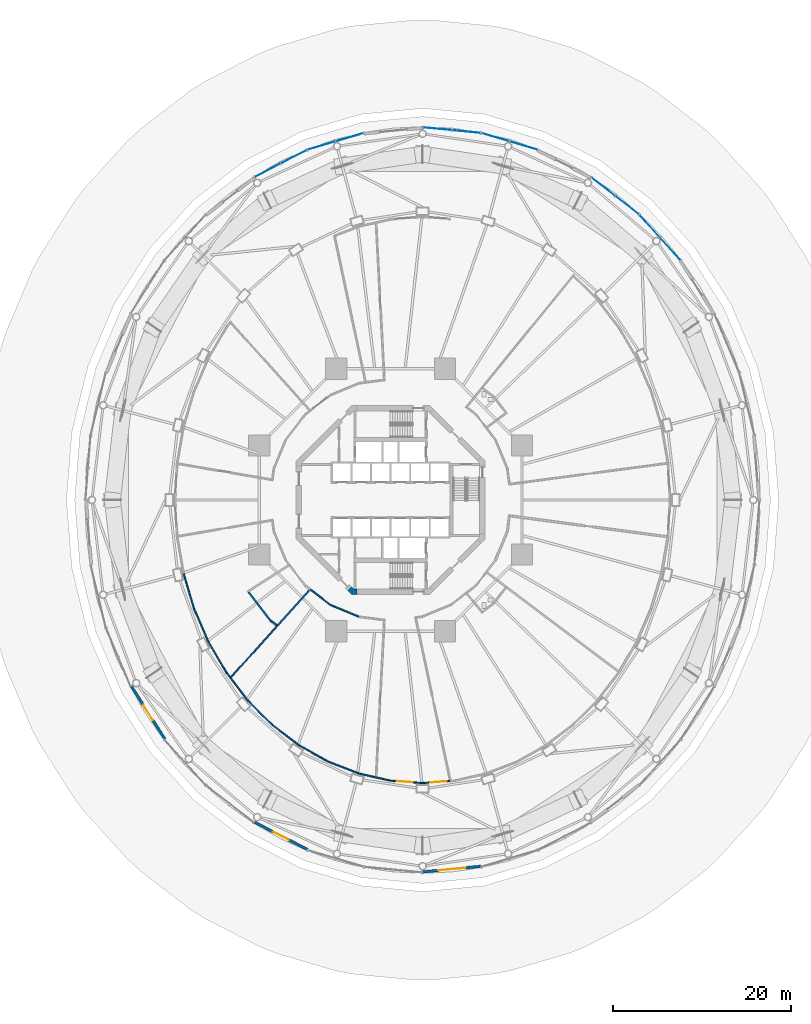
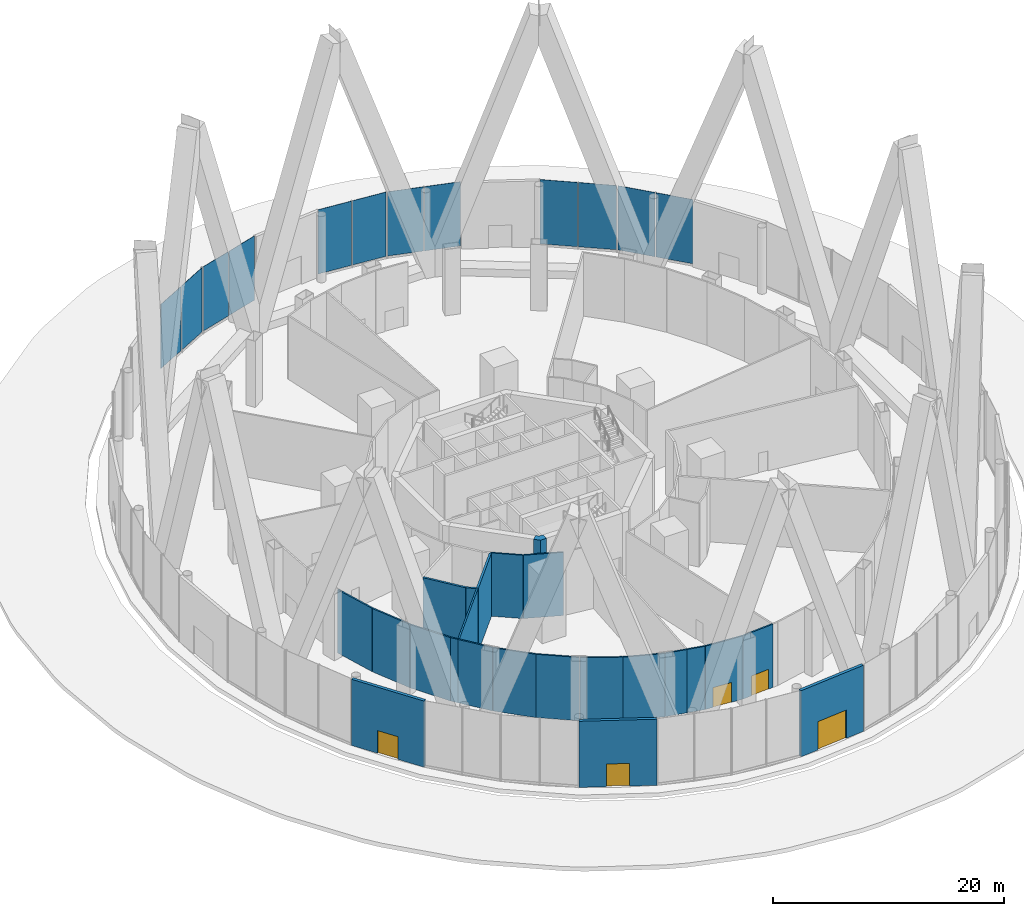
# One storey, part 57 of 67: 23 walls, 12 plates, 5 doors, 5 openings, 6 elements without a shape of their own.
"""IFC4 building model written with IfcOpenShell, lengths in metres."""

import ifcopenshell
import ifcopenshell.guid

model = None  # the IFC model being written
_history = None  # IfcOwnerHistory: only IFC2X3 demands one
_inside = {}  # id of a spatial element -> (the spatial element, [elements in it])
_under = {}  # id of a project, library or spatial element -> (it, [spatial elements below it])
_declared = {}  # id of a project -> (the project, [libraries it declares])
_typed = {}  # id of a type object -> (the type object, [elements of that type])
_made_of = {}  # id of a material, layer set ... -> (it, [elements and type objects made of it])


def new_model(schema):
    """Start an empty IFC model of exactly this schema.

    Asked for "IFC4X3", IfcOpenShell would pick the latest addendum, in which some entities
    have other attributes; the version numbers below select the first issue.
    IFC2X3 requires an IfcOwnerHistory on every rooted entity: one is made here for all.
    """
    global model, _history
    if schema == "IFC4X3":
        model = ifcopenshell.file(schema_version=(4, 3, 0, 0))
    else:
        model = ifcopenshell.file(schema=schema)
    _inside.clear()
    _under.clear()
    _declared.clear()
    _typed.clear()
    _made_of.clear()
    _history = None
    if model.schema == "IFC2X3":
        org = make("IfcOrganization", Name="unknown")
        user = make(
            "IfcPersonAndOrganization",
            ThePerson=make("IfcPerson", FamilyName="unknown"),
            TheOrganization=org,
        )
        app = make(
            "IfcApplication",
            ApplicationDeveloper=org,
            Version="unknown",
            ApplicationFullName="unknown",
            ApplicationIdentifier="unknown",
        )
        _history = make(
            "IfcOwnerHistory",
            OwningUser=user,
            OwningApplication=app,
            ChangeAction="ADDED",
            CreationDate=0,
        )
    return model


def make(cls, **values):
    """One entity of the class cls with the attributes given. An attribute that is None is left unset."""
    return model.create_entity(
        cls, **{name: value for name, value in values.items() if value is not None}
    )


def rooted(cls, **values):
    """An entity with a GlobalId (a new one), such as an element, a storey or a relation."""
    return make(cls, GlobalId=ifcopenshell.guid.new(), OwnerHistory=_history, **values)


def si_unit(unit_type, name, prefix=None):
    """IfcSIUnit, for example si_unit("LENGTHUNIT", "METRE", prefix="MILLI")."""
    return make("IfcSIUnit", UnitType=unit_type, Prefix=prefix, Name=name)


def assignment(units):
    """IfcUnitAssignment: the units of a project."""
    return None if units is None else make("IfcUnitAssignment", Units=units)


def point(xyz):
    """IfcCartesianPoint."""
    return None if xyz is None else make("IfcCartesianPoint", Coordinates=xyz)


def direction(xyz):
    """IfcDirection."""
    return None if xyz is None else make("IfcDirection", DirectionRatios=xyz)


def frame(location, z_axis=None, x_axis=None):
    """IfcAxis2Placement3D, a coordinate frame: its origin and axes. An axis left out is left unset."""
    return make(
        "IfcAxis2Placement3D",
        Location=point(location),
        Axis=direction(z_axis),
        RefDirection=direction(x_axis),
    )


def frame_2d(location, x_axis=None):
    """IfcAxis2Placement2D, a coordinate frame in the plane: its origin and x axis."""
    return make(
        "IfcAxis2Placement2D", Location=point(location), RefDirection=direction(x_axis)
    )


def origin():
    """The frame at (0, 0, 0) with its axes left unset."""
    return frame((0.0, 0.0, 0.0))


def origin_2d():
    """The frame at (0, 0) in the plane with its x axis left unset."""
    return frame_2d((0.0, 0.0))


def place(relative_to, where):
    """IfcLocalPlacement: puts the frame where relative to a parent placement (None: the world)."""
    return make(
        "IfcLocalPlacement", PlacementRelTo=relative_to, RelativePlacement=where
    )


def context(
    kind, dimensions, precision=None, world=None, true_north=None, identifier=None
):
    """IfcGeometricRepresentationContext, for example the 3D "Model" context."""
    return make(
        "IfcGeometricRepresentationContext",
        ContextIdentifier=identifier,
        ContextType=kind,
        CoordinateSpaceDimension=dimensions,
        Precision=precision,
        WorldCoordinateSystem=world,
        TrueNorth=true_north,
    )


def subcontext(parent, identifier, kind, view, scale=None):
    """IfcGeometricRepresentationSubContext, for example "Body" below "Model"."""
    return make(
        "IfcGeometricRepresentationSubContext",
        ContextIdentifier=identifier,
        ContextType=kind,
        ParentContext=parent,
        TargetScale=scale,
        TargetView=view,
    )


def project(units=None, contexts=None):
    """IfcProject with its units and contexts."""
    return rooted(
        "IfcProject",
        Name="project",
        RepresentationContexts=contexts,
        UnitsInContext=assignment(units),
    )


def spatial(cls, under=None, at=None, **own):
    """A site, building, storey or space (cls), placed at a placement, below another one or the project."""
    s = rooted(cls, ObjectPlacement=at, **own)
    if under is not None:
        _under.setdefault(under.id(), (under, []))[1].append(s)
    return s


def polyline(points):
    """IfcPolyline through the points."""
    return make("IfcPolyline", Points=[point(p) for p in points])


def profile(cls, at=None, kind="AREA", **sizes):
    """A parametric profile (cls). Its sizes go by their IFC names, for example OverallWidth=200.0."""
    return make(cls, ProfileType=kind, Position=at, **sizes)


def rectangle(**sizes):
    """IfcRectangleProfileDef."""
    return profile("IfcRectangleProfileDef", **sizes)


def outline(outer, holes=None, kind="AREA"):
    """IfcArbitraryClosedProfileDef: a profile drawn as a closed curve; with holes, ...WithVoids."""
    if holes is None:
        return make("IfcArbitraryClosedProfileDef", ProfileType=kind, OuterCurve=outer)
    return make(
        "IfcArbitraryProfileDefWithVoids",
        ProfileType=kind,
        OuterCurve=outer,
        InnerCurves=holes,
    )


def extrude(swept, where, along, depth):
    """IfcExtrudedAreaSolid: the profile swept, set in the frame where, extruded along a direction by depth."""
    return make(
        "IfcExtrudedAreaSolid",
        SweptArea=swept,
        Position=where,
        ExtrudedDirection=direction(along),
        Depth=depth,
    )


def shape(context_of_items, identifier, shape_type, items):
    """IfcShapeRepresentation: the items that make up one representation, for example the "Body"."""
    return make(
        "IfcShapeRepresentation",
        ContextOfItems=context_of_items,
        RepresentationIdentifier=identifier,
        RepresentationType=shape_type,
        Items=items,
    )


def material(Name=None, Category=None):
    """IfcMaterial."""
    return make("IfcMaterial", Name=Name, Category=Category)


def layer(
    of_material, thickness, ventilated=None, Name=None, Category=None, Priority=None
):
    """IfcMaterialLayer: one layer of a wall or slab, of a material (None: an air gap)."""
    return make(
        "IfcMaterialLayer",
        Material=of_material,
        LayerThickness=thickness,
        IsVentilated=ventilated,
        Name=Name,
        Category=Category,
        Priority=Priority,
    )


def layer_set(layers, Name=None):
    """IfcMaterialLayerSet."""
    return make("IfcMaterialLayerSet", MaterialLayers=layers, LayerSetName=Name)


def made_of(thing, what):
    """Note that an element or type object is made of a material, layer set ...; save() writes the relation."""
    if what is not None:
        _made_of.setdefault(what.id(), (what, []))[1].append(thing)
    return thing


def type_object(cls, material=None, **own):
    """A type object (cls), such as IfcWallType, which elements share."""
    return made_of(rooted(cls, **own), material)


def element(
    cls,
    number,
    at=None,
    inside=None,
    cuts=None,
    type_object=None,
    material=None,
    context=None,
    identifier="Body",
    shape_type=None,
    held_by="IfcProductDefinitionShape",
    body=None,
    shapes=None,
    **own,
):
    """One element of the class cls, such as IfcWall. Its Tag is "e" and its number.

    at: its placement. inside: the storey or other place that contains it. cuts: it is an
    opening in that element (IfcRelVoidsElement). A single representation is given by context,
    identifier, shape_type and body (its items); several are given by shapes. held_by: the class
    of the entity that holds the representations. save() writes the other relations.
    """
    e = rooted(cls, Tag="e%d" % number, ObjectPlacement=at, **own)
    if body is not None:
        shapes = [shape(context, identifier, shape_type, body)]
    if shapes is not None:
        e.Representation = make(held_by, Representations=shapes)
    if inside is not None:
        _inside.setdefault(inside.id(), (inside, []))[1].append(e)
    if cuts is not None:
        rooted(
            "IfcRelVoidsElement", RelatingBuildingElement=cuts, RelatedOpeningElement=e
        )
    if type_object is not None:
        _typed.setdefault(type_object.id(), (type_object, []))[1].append(e)
    return made_of(e, material)


def fill(opening, filler):
    """IfcRelFillsElement: the door or window that sits in an opening."""
    return rooted(
        "IfcRelFillsElement",
        RelatingOpeningElement=opening,
        RelatedBuildingElement=filler,
    )


def aggregate(whole, parts):
    """IfcRelAggregates: a whole, such as a stair, and the parts it consists of."""
    return rooted("IfcRelAggregates", RelatingObject=whole, RelatedObjects=parts)


def save(model, path):
    """Write the relations noted so far, then the file.

    IfcRelAggregates (storeys below a building ...), IfcRelContainedInSpatialStructure (elements
    in a storey), IfcRelDefinesByType, IfcRelAssociatesMaterial and IfcRelDeclares: one each for
    every whole, place, type object, material and project.
    """
    for whole, parts in _under.values():
        aggregate(whole, parts)
    for where, things in _inside.values():
        rooted(
            "IfcRelContainedInSpatialStructure",
            RelatedElements=things,
            RelatingStructure=where,
        )
    for kind, things in _typed.values():
        rooted("IfcRelDefinesByType", RelatedObjects=things, RelatingType=kind)
    for what, things in _made_of.values():
        rooted("IfcRelAssociatesMaterial", RelatedObjects=things, RelatingMaterial=what)
    for by, libraries in _declared.values():
        rooted("IfcRelDeclares", RelatingContext=by, RelatedDefinitions=libraries)
    model.write(path)


model = new_model("IFC4")

# Units and contexts
model_context = context("Model", 3, precision=1e-05, world=origin(), true_north=direction((0.0, 1.0)))
body_context = subcontext(model_context, "Body", "Model", "MODEL_VIEW")
ifc_project = project(units=[si_unit("LENGTHUNIT", "METRE"), si_unit("AREAUNIT", "SQUARE_METRE"), si_unit("VOLUMEUNIT", "CUBIC_METRE"), si_unit("PLANEANGLEUNIT", "RADIAN"), si_unit("MASSUNIT", "GRAM", prefix="KILO")], contexts=[model_context])

# Site, building, storey
site_placement = place(None, origin())
site = spatial("IfcSite", under=ifc_project, at=site_placement, CompositionType="ELEMENT")
building_placement = place(site_placement, origin())
building = spatial("IfcBuilding", under=site, at=building_placement, Name="Nagisa Residences", CompositionType="ELEMENT")
storey_placement = place(building_placement, origin())
storey = spatial("IfcBuildingStorey", under=building, at=storey_placement, Name="L00", CompositionType="ELEMENT", Elevation=0.0)

# Curtain wall, plates
ifc_material_1 = material(Name="Stainless steel curtain wall system", Category="steel")
ifc_layer_1 = layer(ifc_material_1, 0.159912109375)
ifc_layer_set_1 = layer_set([ifc_layer_1], Name="CW3 CURTAIN WALL")
curtain_wall_type = type_object("IfcCurtainWallType", Name="CW3 CURTAIN WALL", PredefinedType="NOTDEFINED", material=ifc_layer_set_1)
curtain_wall_1_placement = place(storey_placement, origin())
curtain_wall_1 = element("IfcCurtainWall", 1, at=curtain_wall_1_placement, inside=storey, type_object=curtain_wall_type, Name="cw:CW3:L00:04", PredefinedType="NOTDEFINED")
ifc_material_2 = material(Name="Low-iron laminated glass", Category="glass")
ifc_layer_2 = layer(ifc_material_2, 0.028076171875)
ifc_layer_set_2 = layer_set([ifc_layer_2], Name="CW3 GLASS PANEL")
plate_type = type_object("IfcPlateType", Name="CW3 GLASS PANEL", PredefinedType="CURTAIN_PANEL", material=ifc_layer_set_2)
plate_1_placement = place(storey_placement, frame((31.466064453125, 28.25244140625, 0.2001953125), z_axis=(0.0, 0.0, 1.0), x_axis=(-0.670913323971, 0.741535779122, 0.0)))
plate_1 = element("IfcPlate", 2, at=plate_1_placement, type_object=plate_type, Name="CW3 panel", PredefinedType="CURTAIN_PANEL", context=body_context, shape_type="SweptSolid", body=[
    extrude(rectangle(XDim=3.37060546875, YDim=0.028076171875, at=origin_2d()), origin(), (0.0, 0.0, 1.0), 6.800048828125),
])
plate_2_placement = place(storey_placement, frame((29.15087890625, 30.811279296875, 0.2001953125), z_axis=(0.0, 0.0, 1.0), x_axis=(-0.670913323971, 0.741535779122, 0.0)))
plate_2 = element("IfcPlate", 3, at=plate_2_placement, type_object=plate_type, Name="CW3 panel", PredefinedType="CURTAIN_PANEL", context=body_context, shape_type="SweptSolid", body=[
    extrude(rectangle(XDim=3.37060546875, YDim=0.028076171875, at=origin_2d()), origin(), (0.0, 0.0, 1.0), 6.800048828125),
])
aggregate(curtain_wall_1, [plate_1, plate_2])

curtain_wall_2_placement = place(storey_placement, origin())
curtain_wall_2 = element("IfcCurtainWall", 4, at=curtain_wall_2_placement, inside=storey, type_object=curtain_wall_type, Name="cw:CW3:L00:05", PredefinedType="NOTDEFINED")
plate_3_placement = place(storey_placement, frame((26.604736328125, 33.172607421875, 0.2001953125), z_axis=(0.0, 0.0, 1.0), x_axis=(-0.790830864353, 0.612034757172, 0.0)))
plate_3 = element("IfcPlate", 5, at=plate_3_placement, type_object=plate_type, Name="CW3 panel", PredefinedType="CURTAIN_PANEL", context=body_context, shape_type="SweptSolid", body=[
    extrude(rectangle(XDim=3.310546875, YDim=0.028076171875, at=origin_2d()), origin(), (0.0, 0.0, 1.0), 6.800048828125),
])
plate_4_placement = place(storey_placement, frame((23.92333984375, 35.247802734375, 0.2001953125), z_axis=(0.0, 0.0, 1.0), x_axis=(-0.790830864353, 0.612034757172, 0.0)))
plate_4 = element("IfcPlate", 6, at=plate_4_placement, type_object=plate_type, Name="CW3 panel", PredefinedType="CURTAIN_PANEL", context=body_context, shape_type="SweptSolid", body=[
    extrude(rectangle(XDim=3.310546875, YDim=0.028076171875, at=origin_2d()), origin(), (0.0, 0.0, 1.0), 6.800048828125),
])
aggregate(curtain_wall_2, [plate_3, plate_4])

curtain_wall_3_placement = place(storey_placement, origin())
curtain_wall_3 = element("IfcCurtainWall", 7, at=curtain_wall_3_placement, inside=storey, type_object=curtain_wall_type, Name="cw:CW3:L00:07", PredefinedType="NOTDEFINED")
plate_5_placement = place(storey_placement, frame((14.955322265625, 39.869873046875, 0.2001953125), z_axis=(0.0, 0.0, 1.0), x_axis=(-0.958835171393, 0.283963226669, 0.0)))
plate_5 = element("IfcPlate", 8, at=plate_5_placement, type_object=plate_type, Name="CW3 panel", PredefinedType="CURTAIN_PANEL", context=body_context, shape_type="SweptSolid", body=[
    extrude(rectangle(XDim=3.21630859375, YDim=0.028076171875, at=origin_2d()), origin(), (0.0, 0.0, 1.0), 6.800048828125),
])
plate_6_placement = place(storey_placement, frame((11.794677734375, 40.805908203125, 0.2001953125), z_axis=(0.0, 0.0, 1.0), x_axis=(-0.958835171393, 0.283963226669, 0.0)))
plate_6 = element("IfcPlate", 9, at=plate_6_placement, type_object=plate_type, Name="CW3 panel", PredefinedType="CURTAIN_PANEL", context=body_context, shape_type="SweptSolid", body=[
    extrude(rectangle(XDim=3.21630859375, YDim=0.028076171875, at=origin_2d()), origin(), (0.0, 0.0, 1.0), 6.800048828125),
])
aggregate(curtain_wall_3, [plate_5, plate_6])

curtain_wall_4_placement = place(storey_placement, origin())
curtain_wall_4 = element("IfcCurtainWall", 10, at=curtain_wall_4_placement, inside=storey, type_object=curtain_wall_type, Name="cw:CW3:L00:08", PredefinedType="NOTDEFINED")
plate_7_placement = place(storey_placement, frame((8.521484375, 41.44384765625, 0.2001953125), z_axis=(0.0, 0.0, 1.0), x_axis=(-0.995357282289, 0.096249055035, 0.0)))
plate_7 = element("IfcPlate", 11, at=plate_7_placement, type_object=plate_type, Name="CW3 panel", PredefinedType="CURTAIN_PANEL", context=body_context, shape_type="SweptSolid", body=[
    extrude(rectangle(XDim=3.19482421875, YDim=0.028076171875, at=origin_2d()), origin(), (0.0, 0.0, 1.0), 6.800048828125),
])
plate_8_placement = place(storey_placement, frame((5.261962890625, 41.759033203125, 0.2001953125), z_axis=(0.0, 0.0, 1.0), x_axis=(-0.995357282289, 0.096249055035, 0.0)))
plate_8 = element("IfcPlate", 12, at=plate_8_placement, type_object=plate_type, Name="CW3 panel", PredefinedType="CURTAIN_PANEL", context=body_context, shape_type="SweptSolid", body=[
    extrude(rectangle(XDim=3.19482421875, YDim=0.028076171875, at=origin_2d()), origin(), (0.0, 0.0, 1.0), 6.800048828125),
])
aggregate(curtain_wall_4, [plate_7, plate_8])

curtain_wall_5_placement = place(storey_placement, origin())
curtain_wall_5 = element("IfcCurtainWall", 13, at=curtain_wall_5_placement, inside=storey, type_object=curtain_wall_type, Name="cw:CW3:L00:10", PredefinedType="NOTDEFINED")
plate_9_placement = place(storey_placement, frame((-4.5947265625, 40.805908203125, 0.2001953125), z_axis=(0.0, 0.0, 1.0), x_axis=(-0.958835171393, -0.283963226669, 0.0)))
plate_9 = element("IfcPlate", 14, at=plate_9_placement, type_object=plate_type, Name="CW3 panel", PredefinedType="CURTAIN_PANEL", context=body_context, shape_type="SweptSolid", body=[
    extrude(rectangle(XDim=3.21630859375, YDim=0.028076171875, at=origin_2d()), origin(), (0.0, 0.0, 1.0), 6.800048828125),
])
plate_10_placement = place(storey_placement, frame((-7.75537109375, 39.869873046875, 0.2001953125), z_axis=(0.0, 0.0, 1.0), x_axis=(-0.958835171393, -0.283963226669, 0.0)))
plate_10 = element("IfcPlate", 15, at=plate_10_placement, type_object=plate_type, Name="CW3 panel", PredefinedType="CURTAIN_PANEL", context=body_context, shape_type="SweptSolid", body=[
    extrude(rectangle(XDim=3.21630859375, YDim=0.028076171875, at=origin_2d()), origin(), (0.0, 0.0, 1.0), 6.800048828125),
])
aggregate(curtain_wall_5, [plate_9, plate_10])

curtain_wall_6_placement = place(storey_placement, origin())
curtain_wall_6 = element("IfcCurtainWall", 16, at=curtain_wall_6_placement, inside=storey, type_object=curtain_wall_type, Name="cw:CW3:L00:11", PredefinedType="NOTDEFINED")
plate_11_placement = place(storey_placement, frame((-10.878662109375, 38.61328125, 0.2001953125), z_axis=(0.0, 0.0, 1.0), x_axis=(-0.888887270285, -0.45812598783, 0.0)))
plate_11 = element("IfcPlate", 17, at=plate_11_placement, type_object=plate_type, Name="CW3 panel", PredefinedType="CURTAIN_PANEL", context=body_context, shape_type="SweptSolid", body=[
    extrude(rectangle(XDim=3.2568359375, YDim=0.028076171875, at=origin_2d()), origin(), (0.0, 0.0, 1.0), 6.800048828125),
])
plate_12_placement = place(storey_placement, frame((-13.8447265625, 37.084716796875, 0.2001953125), z_axis=(0.0, 0.0, 1.0), x_axis=(-0.888887270285, -0.45812598783, 0.0)))
plate_12 = element("IfcPlate", 18, at=plate_12_placement, type_object=plate_type, Name="CW3 panel", PredefinedType="CURTAIN_PANEL", context=body_context, shape_type="SweptSolid", body=[
    extrude(rectangle(XDim=3.2568359375, YDim=0.028076171875, at=origin_2d()), origin(), (0.0, 0.0, 1.0), 6.800048828125),
])
aggregate(curtain_wall_6, [plate_11, plate_12])

# Wall
ifc_material_3 = material(Name="Concrete C60", Category="concrete")
ifc_layer_3 = layer(ifc_material_3, 0.60009765625)
ifc_layer_set_3 = layer_set([ifc_layer_3], Name="Core shear wall 600")
wall_type_1 = type_object("IfcWallType", Name="Core shear wall 600", PredefinedType="SHEAR", material=ifc_layer_set_3)
wall_1_placement = place(storey_placement, origin())
element("IfcWall", 19, at=wall_1_placement, inside=storey, type_object=wall_type_1, Name="wall:L00:core:pier5", PredefinedType="SHEAR", context=body_context, shape_type="SweptSolid", body=[
    extrude(outline(polyline([(-4.8251953125, -10.200439453125), (-4.40087890625, -9.776123046875), (-4.15234375, -10.024658203125), (-3.80078125, -10.024658203125), (-3.80078125, -10.62451171875), (-4.40087890625, -10.62451171875), (-4.8251953125, -10.200439453125)])), origin(), (0.0, 0.0, 1.0), 6.699951171875),
])

# Wall, opening, door
ifc_material_4 = material(Name="Precast concrete C40/50", Category="concrete")
ifc_layer_4 = layer(ifc_material_4, 0.300048828125)
ifc_layer_set_4 = layer_set([ifc_layer_4], Name="ENTRANCE WALL 300")
wall_type_2 = type_object("IfcWallType", Name="ENTRANCE WALL 300", PredefinedType="SOLIDWALL", material=ifc_layer_set_4)
wall_2_placement = place(storey_placement, frame((-25.383056640625, -26.916748046875, 0.0), z_axis=(0.0, 0.0, 1.0), x_axis=(-0.535169889444, 0.844744452147, 0.0)))
wall_2 = element("IfcWall", 20, at=wall_2_placement, inside=storey, type_object=wall_type_2, Name="wall:L00:xit21", PredefinedType="SOLIDWALL", context=body_context, shape_type="SweptSolid", body=[
    extrude(rectangle(XDim=7.099365234375, YDim=0.300048828125, at=frame_2d((3.5498046875, 0.0))), origin(), (0.0, 0.0, 1.0), 7.0),
])
opening_1_placement = place(wall_2_placement, frame((2.549560546875, 0.0, 0.0)))
opening_1 = element("IfcOpeningElement", 21, at=opening_1_placement, cuts=wall_2, Name="Opening XD-05", PredefinedType="OPENING", context=body_context, shape_type="SweptSolid", body=[
    extrude(rectangle(XDim=2.0, YDim=2.39990234375, at=frame_2d((1.0, 1.199951171875))), frame((0.0, 0.159912109375, 0.0), z_axis=(0.0, -1.0, 0.0), x_axis=(1.0, 0.0, 0.0)), (0.0, 0.0, 1.0), 0.320068359375),
])
ifc_material_5 = material(Name="Stainless steel and clear glass", Category="steel")
door_type_1 = type_object("IfcDoorType", Name="EXIT DOUBLE DOOR 2000x2400", OperationType="DOUBLE_DOOR_SINGLE_SWING", PredefinedType="DOOR", material=ifc_material_5)
door_1_placement = place(opening_1_placement, origin())
door_1 = element("IfcDoor", 22, at=door_1_placement, inside=storey, type_object=door_type_1, Name="door:L00:xit21", OperationType="DOUBLE_DOOR_SINGLE_SWING", OverallHeight=2.39990234375, OverallWidth=2.0, PredefinedType="DOOR", context=body_context, shape_type="SweptSolid", body=[
    extrude(rectangle(XDim=2.0, YDim=2.39990234375, at=frame_2d((1.0, 1.199951171875))), frame((0.0, 0.02490234375, 0.0), z_axis=(0.0, -1.0, 0.0), x_axis=(1.0, 0.0, 0.0)), (0.0, 0.0, 1.0), 0.050048828125),
])
fill(opening_1, door_1)

wall_3_placement = place(storey_placement, frame((-9.328125, -39.333740234375, 0.0), z_axis=(0.0, 0.0, 1.0), x_axis=(-0.888887130152, 0.458126259726, 0.0)))
wall_3 = element("IfcWall", 23, at=wall_3_placement, inside=storey, type_object=wall_type_2, Name="wall:L00:xit24", PredefinedType="SOLIDWALL", context=body_context, shape_type="SweptSolid", body=[
    extrude(rectangle(XDim=6.753662109375, YDim=0.300048828125, at=frame_2d((3.376953125, 0.0))), origin(), (0.0, 0.0, 1.0), 7.0),
])
opening_2_placement = place(wall_3_placement, frame((2.376708984375, 0.0, 0.0)))
opening_2 = element("IfcOpeningElement", 24, at=opening_2_placement, cuts=wall_3, Name="Opening XD-06", PredefinedType="OPENING", context=body_context, shape_type="SweptSolid", body=[
    extrude(rectangle(XDim=2.0, YDim=2.39990234375, at=frame_2d((1.0, 1.199951171875))), frame((0.0, 0.159912109375, 0.0), z_axis=(0.0, -1.0, 0.0), x_axis=(1.0, 0.0, 0.0)), (0.0, 0.0, 1.0), 0.320068359375),
])
door_2_placement = place(opening_2_placement, origin())
door_2 = element("IfcDoor", 25, at=door_2_placement, inside=storey, type_object=door_type_1, Name="door:L00:xit24", OperationType="DOUBLE_DOOR_SINGLE_SWING", OverallHeight=2.39990234375, OverallWidth=2.0, PredefinedType="DOOR", context=body_context, shape_type="SweptSolid", body=[
    extrude(rectangle(XDim=2.0, YDim=2.39990234375, at=frame_2d((1.0, 1.199951171875))), frame((0.0, 0.02490234375, 0.0), z_axis=(0.0, -1.0, 0.0), x_axis=(1.0, 0.0, 0.0)), (0.0, 0.0, 1.0), 0.050048828125),
])
fill(opening_2, door_2)

wall_4_placement = place(storey_placement, frame((10.18408203125, -41.212646484375, 0.0), z_axis=(0.0, 0.0, 1.0), x_axis=(-0.995359234714, -0.096228861932, 0.0)))
wall_4 = element("IfcWall", 26, at=wall_4_placement, inside=storey, type_object=wall_type_2, Name="wall:L00:ent27", PredefinedType="SOLIDWALL", context=body_context, shape_type="SweptSolid", body=[
    extrude(rectangle(XDim=6.62939453125, YDim=0.300048828125, at=frame_2d((3.314697265625, 0.0))), origin(), (0.0, 0.0, 1.0), 7.0),
])
opening_3_placement = place(wall_4_placement, frame((1.814697265625, 0.0, 0.0)))
opening_3 = element("IfcOpeningElement", 27, at=opening_3_placement, cuts=wall_4, Name="Opening ED-04", PredefinedType="OPENING", context=body_context, shape_type="SweptSolid", body=[
    extrude(rectangle(XDim=3.0, YDim=3.0, at=frame_2d((1.5, 1.5))), frame((0.0, 0.159912109375, 0.0), z_axis=(0.0, -1.0, 0.0), x_axis=(1.0, 0.0, 0.0)), (0.0, 0.0, 1.0), 0.320068359375),
])
ifc_material_6 = material(Name="Stainless steel and clear glass", Category="steel")
door_type_2 = type_object("IfcDoorType", Name="ENTRANCE DOUBLE DOOR 3000x3000", OperationType="DOUBLE_DOOR_DOUBLE_SWING", PredefinedType="DOOR", material=ifc_material_6)
door_3_placement = place(opening_3_placement, origin())
door_3 = element("IfcDoor", 28, at=door_3_placement, inside=storey, type_object=door_type_2, Name="door:L00:ent27", OperationType="DOUBLE_DOOR_DOUBLE_SWING", OverallHeight=3.0, OverallWidth=3.0, PredefinedType="DOOR", context=body_context, shape_type="SweptSolid", body=[
    extrude(rectangle(XDim=3.0, YDim=3.0, at=frame_2d((1.5, 1.5))), frame((0.0, 0.02490234375, 0.0), z_axis=(0.0, -1.0, 0.0), x_axis=(1.0, 0.0, 0.0)), (0.0, 0.0, 1.0), 0.050048828125),
])
fill(opening_3, door_3)

# Walls
ifc_material_7 = material(Name="Gypsum board on steel studs", Category="steel")
ifc_layer_5 = layer(ifc_material_7, 0.199951171875)
ifc_layer_set_5 = layer_set([ifc_layer_5], Name="Plant room wall EI120 200")
wall_type_3 = type_object("IfcWallType", Name="Plant room wall EI120 200", PredefinedType="PARTITIONING", material=ifc_layer_set_5)
wall_5_placement = place(storey_placement, frame((-13.548583984375, -13.52734375, 0.0), z_axis=(0.0, 0.0, 1.0), x_axis=(-0.608733632312, 0.793374668673, 0.0)))
element("IfcWall", 29, at=wall_5_placement, inside=storey, type_object=wall_type_3, Name="wall:L00:am083", PredefinedType="PARTITIONING", context=body_context, shape_type="SweptSolid", body=[
    extrude(rectangle(XDim=3.986572265625, YDim=0.199951171875, at=frame_2d((1.9931640625, 0.0))), origin(), (0.0, 0.0, 1.0), 6.699951171875),
])
wall_6_placement = place(storey_placement, frame((-12.821533203125, -14.090087890625, 0.0), z_axis=(0.0, 0.0, 1.0), x_axis=(-0.793398710545, 0.60870229678, 0.0)))
element("IfcWall", 30, at=wall_6_placement, inside=storey, type_object=wall_type_3, Name="wall:L00:am084", PredefinedType="PARTITIONING", context=body_context, shape_type="SweptSolid", body=[
    extrude(rectangle(XDim=0.8896484375, YDim=0.199951171875, at=frame_2d((0.44482421875, 0.0))), origin(), (0.0, 0.0, 1.0), 6.699951171875),
])
wall_7_placement = place(storey_placement, frame((-9.117431640625, -10.125732421875, 0.0), z_axis=(0.0, 0.0, 1.0), x_axis=(-0.669134044303, -0.743141729925, 0.0)))
element("IfcWall", 31, at=wall_7_placement, inside=storey, type_object=wall_type_3, Name="wall:L00:am087", PredefinedType="PARTITIONING", context=body_context, shape_type="SweptSolid", body=[
    extrude(rectangle(XDim=5.416748046875, YDim=0.199951171875, at=frame_2d((2.70849609375, 0.0))), origin(), (0.0, 0.0, 1.0), 6.699951171875),
])
ifc_material_8 = material(Name="Gypsum board on steel studs", Category="steel")
ifc_layer_6 = layer(ifc_material_8, 0.14990234375)
ifc_layer_set_6 = layer_set([ifc_layer_6], Name="Room partition EI60 150")
wall_type_4 = type_object("IfcWallType", Name="Room partition EI60 150", PredefinedType="PARTITIONING", material=ifc_layer_set_6)
wall_8_placement = place(storey_placement, frame((-22.112060546875, -12.227783203125, 0.0), z_axis=(0.0, 0.0, 1.0), x_axis=(-0.285840471929, 0.958277216993, 0.0)))
element("IfcWall", 32, at=wall_8_placement, inside=storey, type_object=wall_type_4, Name="wall:L00:am006", PredefinedType="PARTITIONING", context=body_context, shape_type="SweptSolid", body=[
    extrude(rectangle(XDim=4.116943359375, YDim=0.14990234375, at=frame_2d((2.05859375, 0.0))), origin(), (0.0, 0.0, 1.0), 6.699951171875),
])
wall_9_placement = place(storey_placement, frame((-20.490234375, -15.97216796875, 0.0), z_axis=(0.0, 0.0, 1.0), x_axis=(-0.39758890863, 0.917563654323, 0.0)))
element("IfcWall", 33, at=wall_9_placement, inside=storey, type_object=wall_type_4, Name="wall:L00:am008", PredefinedType="PARTITIONING", context=body_context, shape_type="SweptSolid", body=[
    extrude(rectangle(XDim=4.0673828125, YDim=0.14990234375, at=frame_2d((2.03369140625, 0.0))), origin(), (0.0, 0.0, 1.0), 6.699951171875),
])
wall_10_placement = place(storey_placement, frame((-18.45556640625, -19.438720703125, 0.0), z_axis=(0.0, 0.0, 1.0), x_axis=(-0.50633554765, 0.86233654288, 0.0)))
element("IfcWall", 34, at=wall_10_placement, inside=storey, type_object=wall_type_4, Name="wall:L00:am010", PredefinedType="PARTITIONING", context=body_context, shape_type="SweptSolid", body=[
    extrude(rectangle(XDim=4.00634765625, YDim=0.14990234375, at=frame_2d((2.003173828125, 0.0))), origin(), (0.0, 0.0, 1.0), 6.699951171875),
])
wall_11_placement = place(storey_placement, frame((-18.0166015625, -20.009521484375, 0.0), z_axis=(0.0, 0.0, 1.0), x_axis=(-0.610394995522, 0.792097184342, 0.0)))
element("IfcWall", 35, at=wall_11_placement, inside=storey, type_object=wall_type_4, Name="wall:L00:am012", PredefinedType="PARTITIONING", context=body_context, shape_type="SweptSolid", body=[
    extrude(rectangle(XDim=0.706787109375, YDim=0.14990234375, at=frame_2d((0.353515625, 0.0))), origin(), (0.0, 0.0, 1.0), 6.699951171875),
])
wall_12_placement = place(storey_placement, frame((-16.044921875, -22.56787109375, 0.0), z_axis=(0.0, 0.0, 1.0), x_axis=(-0.610433773772, 0.792067300069, 0.0)))
element("IfcWall", 36, at=wall_12_placement, inside=storey, type_object=wall_type_4, Name="wall:L00:am014", PredefinedType="PARTITIONING", context=body_context, shape_type="SweptSolid", body=[
    extrude(rectangle(XDim=3.22998046875, YDim=0.14990234375, at=frame_2d((1.614990234375, 0.0))), origin(), (0.0, 0.0, 1.0), 6.699951171875),
])
wall_13_placement = place(storey_placement, frame((-13.301513671875, -25.30712890625, 0.0), z_axis=(0.0, 0.0, 1.0), x_axis=(-0.707801601764, 0.706411277189, 0.0)))
element("IfcWall", 37, at=wall_13_placement, inside=storey, type_object=wall_type_4, Name="wall:L00:am017", PredefinedType="PARTITIONING", context=body_context, shape_type="SweptSolid", body=[
    extrude(rectangle(XDim=3.86328125, YDim=0.14990234375, at=frame_2d((1.931640625, 0.0))), origin(), (0.0, 0.0, 1.0), 6.699951171875),
])
wall_14_placement = place(storey_placement, frame((-12.741943359375, -14.151123046875, 0.0), z_axis=(0.0, 0.0, 1.0), x_axis=(-0.669109851661, -0.743163512566, 0.0)))
element("IfcWall", 38, at=wall_14_placement, inside=storey, type_object=wall_type_4, Name="wall:L00:am020", PredefinedType="PARTITIONING", context=body_context, shape_type="SweptSolid", body=[
    extrude(rectangle(XDim=7.806884765625, YDim=0.14990234375, at=frame_2d((3.9033203125, 0.0))), origin(), (0.0, 0.0, 1.0), 6.699951171875),
])
wall_15_placement = place(storey_placement, frame((-10.273193359375, -27.61083984375, 0.0), z_axis=(0.0, 0.0, 1.0), x_axis=(-0.795994629928, 0.60530368339, 0.0)))
element("IfcWall", 39, at=wall_15_placement, inside=storey, type_object=wall_type_4, Name="wall:L00:am024", PredefinedType="PARTITIONING", context=body_context, shape_type="SweptSolid", body=[
    extrude(rectangle(XDim=3.791015625, YDim=0.14990234375, at=frame_2d((1.8955078125, 0.0))), origin(), (0.0, 0.0, 1.0), 6.699951171875),
])
wall_16_placement = place(storey_placement, frame((-9.05029296875, -10.05126953125, 0.0), z_axis=(0.0, 0.0, 1.0), x_axis=(0.793365630445, -0.608745411834, 0.0)))
element("IfcWall", 40, at=wall_16_placement, inside=storey, type_object=wall_type_4, Name="wall:L00:am026", PredefinedType="PARTITIONING", context=body_context, shape_type="SweptSolid", body=[
    extrude(rectangle(XDim=2.82470703125, YDim=0.14990234375, at=frame_2d((1.412353515625, 0.0))), origin(), (0.0, 0.0, 1.0), 6.699951171875),
])
wall_17_placement = place(storey_placement, frame((-7.01318359375, -29.44140625, 0.0), z_axis=(0.0, 0.0, 1.0), x_axis=(-0.872065260979, 0.489389600005, 0.0)))
element("IfcWall", 41, at=wall_17_placement, inside=storey, type_object=wall_type_4, Name="wall:L00:am028", PredefinedType="PARTITIONING", context=body_context, shape_type="SweptSolid", body=[
    extrude(rectangle(XDim=3.724609375, YDim=0.14990234375, at=frame_2d((1.8623046875, 0.0))), origin(), (0.0, 0.0, 1.0), 6.699951171875),
])
wall_18_placement = place(storey_placement, frame((-6.7890625, -11.782470703125, 0.0), z_axis=(0.0, 0.0, 1.0), x_axis=(0.923881838111, -0.382677866108, 0.0)))
element("IfcWall", 42, at=wall_18_placement, inside=storey, type_object=wall_type_4, Name="wall:L00:am029", PredefinedType="PARTITIONING", context=body_context, shape_type="SweptSolid", body=[
    extrude(rectangle(XDim=3.52685546875, YDim=0.14990234375, at=frame_2d((1.763427734375, 0.0))), origin(), (0.0, 0.0, 1.0), 6.699951171875),
])
wall_19_placement = place(storey_placement, frame((-3.57666015625, -30.769775390625, 0.0), z_axis=(0.0, 0.0, 1.0), x_axis=(-0.932825072941, 0.360329548181, 0.0)))
element("IfcWall", 43, at=wall_19_placement, inside=storey, type_object=wall_type_4, Name="wall:L00:am032", PredefinedType="PARTITIONING", context=body_context, shape_type="SweptSolid", body=[
    extrude(rectangle(XDim=3.669677734375, YDim=0.14990234375, at=frame_2d((1.8349609375, 0.0))), origin(), (0.0, 0.0, 1.0), 6.699951171875),
])
wall_20_placement = place(storey_placement, frame((-1.6357421875, -31.210205078125, 0.0), z_axis=(0.0, 0.0, 1.0), x_axis=(-0.975336395286, 0.220723619105, 0.0)))
element("IfcWall", 44, at=wall_20_placement, inside=storey, type_object=wall_type_4, Name="wall:L00:am038", PredefinedType="PARTITIONING", context=body_context, shape_type="SweptSolid", body=[
    extrude(rectangle(XDim=1.9755859375, YDim=0.14990234375, at=frame_2d((0.98779296875, 0.0))), origin(), (0.0, 0.0, 1.0), 6.699951171875),
])
wall_21_placement = place(storey_placement, frame((-0.02197265625, -31.575439453125, 0.0), z_axis=(0.0, 0.0, 1.0), x_axis=(-0.975332482819, 0.220740906853, 0.0)))
element("IfcWall", 45, at=wall_21_placement, inside=storey, type_object=wall_type_4, Name="wall:L00:am042", PredefinedType="PARTITIONING", context=body_context, shape_type="SweptSolid", body=[
    extrude(rectangle(XDim=1.654541015625, YDim=0.14990234375, at=frame_2d((0.8271484375, 0.0))), origin(), (0.0, 0.0, 1.0), 6.699951171875),
])

# Wall, opening, door
wall_22_placement = place(storey_placement, frame((3.592529296875, -31.84619140625, 0.0), z_axis=(0.0, 0.0, 1.0), x_axis=(-0.997233506708, 0.074332584365, 0.0)))
wall_22 = element("IfcWall", 46, at=wall_22_placement, inside=storey, type_object=wall_type_4, Name="wall:L00:am046", PredefinedType="PARTITIONING", context=body_context, shape_type="SweptSolid", body=[
    extrude(rectangle(XDim=3.609619140625, YDim=0.14990234375, at=frame_2d((1.8046875, 0.0))), origin(), (0.0, 0.0, 1.0), 6.699951171875),
])
opening_4_placement = place(wall_22_placement, frame((1.08837890625, 0.0, 0.0)))
opening_4 = element("IfcOpeningElement", 47, at=opening_4_placement, cuts=wall_22, Name="Opening L00-A16", PredefinedType="OPENING", context=body_context, shape_type="SweptSolid", body=[
    extrude(rectangle(XDim=1.800048828125, YDim=2.10009765625, at=frame_2d((0.89990234375, 1.050048828125))), frame((0.0, 0.0849609375, 0.0), z_axis=(0.0, -1.0, 0.0), x_axis=(1.0, 0.0, 0.0)), (0.0, 0.0, 1.0), 0.169921875),
])
ifc_material_9 = material(Name="Steel fire door", Category="steel")
door_type_3 = type_object("IfcDoorType", Name="Fire door EI30 1800x2100 double door single swing", OperationType="DOUBLE_DOOR_SINGLE_SWING", PredefinedType="DOOR", material=ifc_material_9)
door_4_placement = place(opening_4_placement, origin())
door_4 = element("IfcDoor", 48, at=door_4_placement, inside=storey, type_object=door_type_3, Name="Entrance hall south and exit corridor exit door", OperationType="DOUBLE_DOOR_SINGLE_SWING", OverallHeight=2.10009765625, OverallWidth=1.800048828125, PredefinedType="DOOR", context=body_context, shape_type="SweptSolid", body=[
    extrude(rectangle(XDim=1.800048828125, YDim=2.10009765625, at=frame_2d((0.89990234375, 1.050048828125))), frame((0.0, 0.02490234375, 0.0), z_axis=(0.0, -1.0, 0.0), x_axis=(1.0, 0.0, 0.0)), (0.0, 0.0, 1.0), 0.050048828125),
])
fill(opening_4, door_4)

wall_23_placement = place(storey_placement, frame((6.7197265625, -31.614013671875, 0.0), z_axis=(0.0, 0.0, 1.0), x_axis=(-0.997228552186, -0.074399023545, 0.0)))
wall_23 = element("IfcWall", 49, at=wall_23_placement, inside=storey, type_object=wall_type_4, Name="wall:L00:am048", PredefinedType="PARTITIONING", context=body_context, shape_type="SweptSolid", body=[
    extrude(rectangle(XDim=3.12060546875, YDim=0.14990234375, at=frame_2d((1.560302734375, 0.0))), origin(), (0.0, 0.0, 1.0), 6.699951171875),
])
opening_5_placement = place(wall_23_placement, frame((0.44580078125, 0.0, 0.0)))
opening_5 = element("IfcOpeningElement", 50, at=opening_5_placement, cuts=wall_23, Name="Opening L00-A17", PredefinedType="OPENING", context=body_context, shape_type="SweptSolid", body=[
    extrude(rectangle(XDim=1.800048828125, YDim=2.10009765625, at=frame_2d((0.89990234375, 1.050048828125))), frame((0.0, 0.0849609375, 0.0), z_axis=(0.0, -1.0, 0.0), x_axis=(1.0, 0.0, 0.0)), (0.0, 0.0, 1.0), 0.169921875),
])
door_5_placement = place(opening_5_placement, origin())
door_5 = element("IfcDoor", 51, at=door_5_placement, inside=storey, type_object=door_type_3, Name="Entrance hall south and exit corridor exit door", OperationType="DOUBLE_DOOR_SINGLE_SWING", OverallHeight=2.10009765625, OverallWidth=1.800048828125, PredefinedType="DOOR", context=body_context, shape_type="SweptSolid", body=[
    extrude(rectangle(XDim=1.800048828125, YDim=2.10009765625, at=frame_2d((0.89990234375, 1.050048828125))), frame((0.0, 0.02490234375, 0.0), z_axis=(0.0, -1.0, 0.0), x_axis=(1.0, 0.0, 0.0)), (0.0, 0.0, 1.0), 0.050048828125),
])
fill(opening_5, door_5)

save(model, "model.ifc")
